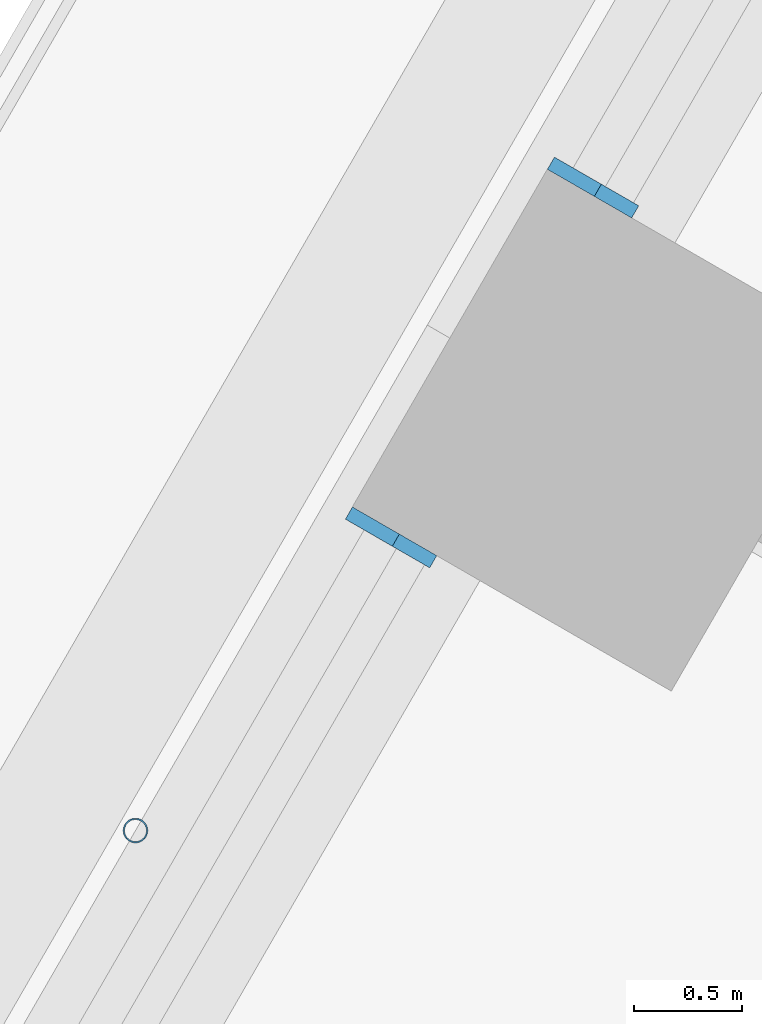
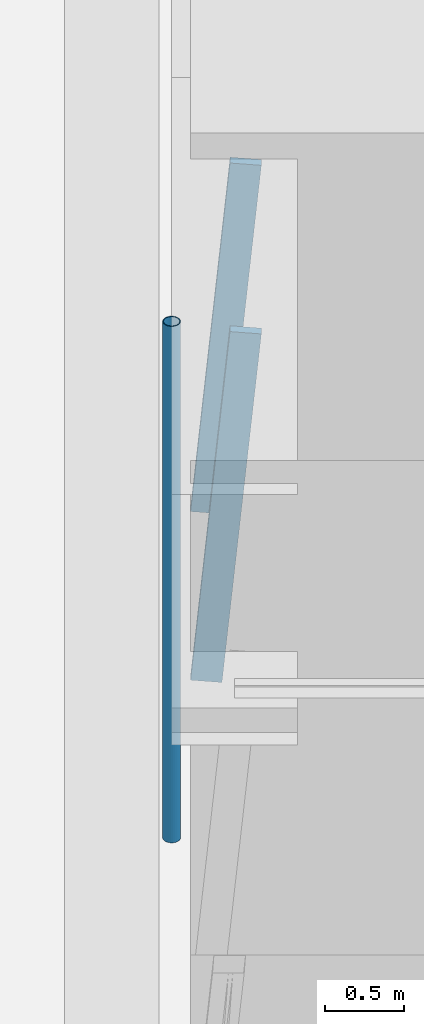
# One storey, part 7 of 24: 3 members, 2 elements without a shape of their own.
"""IFC4 building model written with IfcOpenShell, lengths in metres."""

from ifc_helpers import new_model, si_unit, direction, frame, origin, origin_2d, place, context, subcontext, project, spatial, rectangle, hollow_circle, extrude, material, material_profile, profile_set, type_object, element, aggregate, save


model = new_model("IFC4")

# Units and contexts
model_context = context("Model", 3, precision=1e-05, world=origin(), true_north=direction((0.0, 1.0)))
body_context = subcontext(model_context, "Body", "Model", "MODEL_VIEW")
ifc_project = project(units=[si_unit("LENGTHUNIT", "METRE"), si_unit("AREAUNIT", "SQUARE_METRE"), si_unit("VOLUMEUNIT", "CUBIC_METRE"), si_unit("PLANEANGLEUNIT", "RADIAN"), si_unit("MASSUNIT", "GRAM", prefix="KILO")], contexts=[model_context])

# Site, building, storey
site_placement = place(None, origin())
site = spatial("IfcSite", under=ifc_project, at=site_placement, CompositionType="ELEMENT")
building_placement = place(site_placement, origin())
building = spatial("IfcBuilding", under=site, at=building_placement, Name="Tarfa Lantern Tower", CompositionType="ELEMENT")
storey_placement = place(building_placement, frame((0.0, 0.0, 90.699951171875)))
storey = spatial("IfcBuildingStorey", under=building, at=storey_placement, Name="L20", CompositionType="ELEMENT", Elevation=90.699951171875)

# Curtain wall, member
ifc_material_1 = material(Name="Aluminium framed curtain wall", Category="aluminium")
curtain_wall_type = type_object("IfcCurtainWallType", Name="CW1 CANTED GLAZING LOW ZONE 2700", PredefinedType="USERDEFINED", material=ifc_material_1)
curtain_wall_1_placement = place(storey_placement, origin())
curtain_wall_1 = element("IfcCurtainWall", 1, at=curtain_wall_1_placement, inside=storey, type_object=curtain_wall_type, Name="CW1 NW L20", ObjectType="CURTAIN WALL", PredefinedType="USERDEFINED")
ifc_material_2 = material(Name="Aluminium mullion", Category="aluminium")
ifc_material_profile_1 = material_profile(ifc_material_2, rectangle(XDim=0.06494140625, YDim=0.199951171875, at=origin_2d()), Name="AL MULLION 65x200")
ifc_profile_set_1 = profile_set([ifc_material_profile_1], Name="Aluminium mullion")
member_type_1 = type_object("IfcMemberType", Name="CWM1 MULLION 65x200", PredefinedType="MULLION", material=ifc_profile_set_1)
member_1_placement = place(storey_placement, frame((-31.58642578125, 13.0908203125, 0.0), z_axis=(0.07986442134, -0.046099868913, 0.99573916077), x_axis=(0.499919672301, 0.866071776036, 0.0)))
member_1 = element("IfcMember", 2, at=member_1_placement, type_object=member_type_1, Name="CW1 mullion 2", PredefinedType="MULLION", context=body_context, shape_type="SweptSolid", body=[
    extrude(rectangle(XDim=0.06494140625, YDim=0.199951171875, at=origin_2d()), origin(), (0.0, 0.0, 1.0), 2.71142578125),
])
aggregate(curtain_wall_1, [member_1])

curtain_wall_2_placement = place(storey_placement, origin())
curtain_wall_2 = element("IfcCurtainWall", 3, at=curtain_wall_2_placement, inside=storey, type_object=curtain_wall_type, Name="CW1 NW L20", ObjectType="CURTAIN WALL", PredefinedType="USERDEFINED")
member_2_placement = place(storey_placement, frame((-32.518798828125, 11.475830078125, 0.0), z_axis=(0.07986442134, -0.046099868913, 0.99573916077), x_axis=(0.499919672301, 0.866071776036, 0.0)))
member_2 = element("IfcMember", 4, at=member_2_placement, type_object=member_type_1, Name="CW1 mullion 1", PredefinedType="MULLION", context=body_context, shape_type="SweptSolid", body=[
    extrude(rectangle(XDim=0.06494140625, YDim=0.199951171875, at=origin_2d()), origin(), (0.0, 0.0, 1.0), 2.71142578125),
])
aggregate(curtain_wall_2, [member_2])

# Member
ifc_material_3 = material(Name="Steel S355", Category="steel")
ifc_material_profile_2 = material_profile(ifc_material_3, hollow_circle(Radius=0.05712890625, WallThickness=0.00634765625, at=origin_2d()), Name="CHS114.3x6.3")
ifc_profile_set_2 = profile_set([ifc_material_profile_2], Name="Steel S355")
member_type_2 = type_object("IfcMemberType", Name="TR1 GREEN WALL TRELLIS CHS114.3x6.3", PredefinedType="USERDEFINED", material=ifc_profile_set_2)
member_3_placement = place(storey_placement, frame((-33.59033203125, 10.06005859375, 0.0), z_axis=(0.0, 0.0, 1.0), x_axis=(1.0, 0.0, 0.0)))
element("IfcMember", 5, at=member_3_placement, inside=storey, type_object=member_type_2, Name="Trellis post NW 2", ObjectType="TRELLIS", PredefinedType="USERDEFINED", context=body_context, shape_type="SweptSolid", body=[
    extrude(hollow_circle(Radius=0.05712890625, WallThickness=0.00634765625, at=origin_2d()), origin(), (0.0, 0.0, 1.0), 4.0),
])

save(model, "model.ifc")
